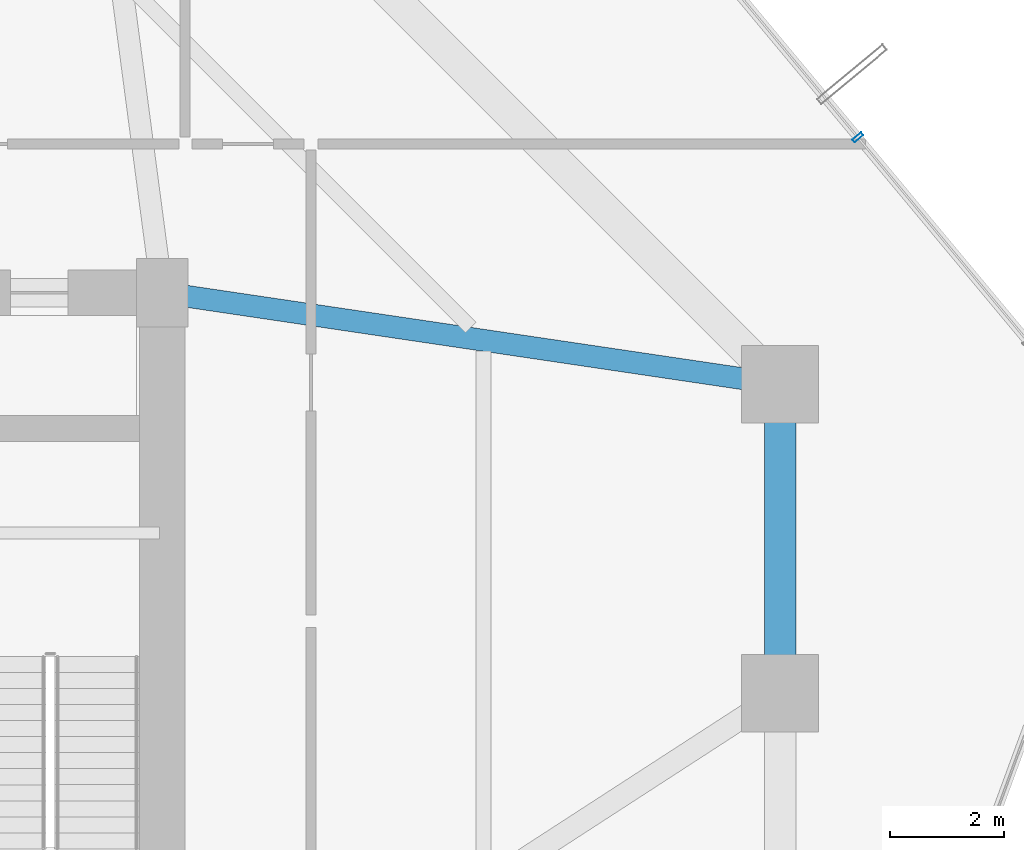
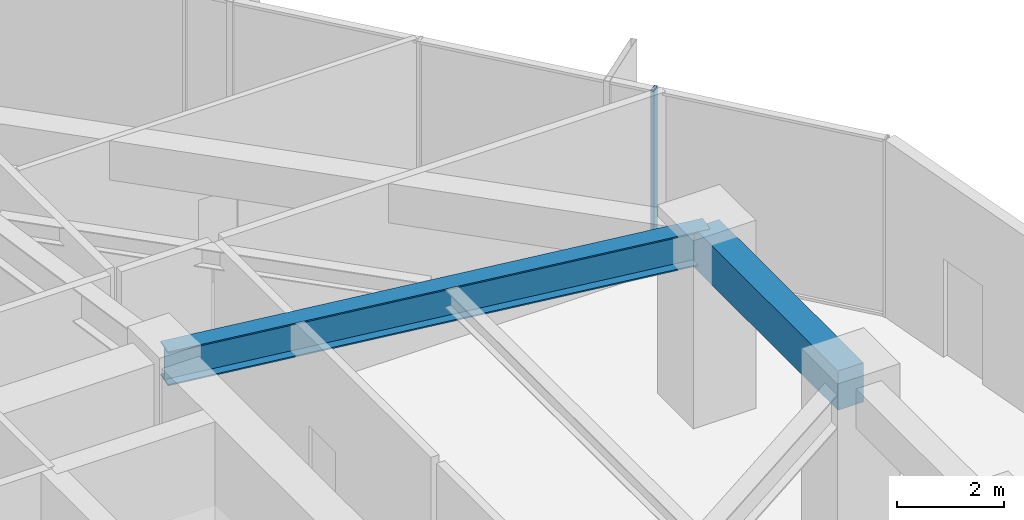
# One storey, part 18 of 35: 2 beams, 1 member, 1 element without a shape of its own.
"""IFC4 building model written with IfcOpenShell, lengths in metres."""

import ifcopenshell
import ifcopenshell.guid

model = None  # the IFC model being written
_history = None  # IfcOwnerHistory: only IFC2X3 demands one
_inside = {}  # id of a spatial element -> (the spatial element, [elements in it])
_under = {}  # id of a project, library or spatial element -> (it, [spatial elements below it])
_declared = {}  # id of a project -> (the project, [libraries it declares])
_typed = {}  # id of a type object -> (the type object, [elements of that type])
_made_of = {}  # id of a material, layer set ... -> (it, [elements and type objects made of it])


def new_model(schema):
    """Start an empty IFC model of exactly this schema.

    Asked for "IFC4X3", IfcOpenShell would pick the latest addendum, in which some entities
    have other attributes; the version numbers below select the first issue.
    IFC2X3 requires an IfcOwnerHistory on every rooted entity: one is made here for all.
    """
    global model, _history
    if schema == "IFC4X3":
        model = ifcopenshell.file(schema_version=(4, 3, 0, 0))
    else:
        model = ifcopenshell.file(schema=schema)
    _inside.clear()
    _under.clear()
    _declared.clear()
    _typed.clear()
    _made_of.clear()
    _history = None
    if model.schema == "IFC2X3":
        org = make("IfcOrganization", Name="unknown")
        user = make(
            "IfcPersonAndOrganization",
            ThePerson=make("IfcPerson", FamilyName="unknown"),
            TheOrganization=org,
        )
        app = make(
            "IfcApplication",
            ApplicationDeveloper=org,
            Version="unknown",
            ApplicationFullName="unknown",
            ApplicationIdentifier="unknown",
        )
        _history = make(
            "IfcOwnerHistory",
            OwningUser=user,
            OwningApplication=app,
            ChangeAction="ADDED",
            CreationDate=0,
        )
    return model


def make(cls, **values):
    """One entity of the class cls with the attributes given. An attribute that is None is left unset."""
    return model.create_entity(
        cls, **{name: value for name, value in values.items() if value is not None}
    )


def rooted(cls, **values):
    """An entity with a GlobalId (a new one), such as an element, a storey or a relation."""
    return make(cls, GlobalId=ifcopenshell.guid.new(), OwnerHistory=_history, **values)


def si_unit(unit_type, name, prefix=None):
    """IfcSIUnit, for example si_unit("LENGTHUNIT", "METRE", prefix="MILLI")."""
    return make("IfcSIUnit", UnitType=unit_type, Prefix=prefix, Name=name)


def assignment(units):
    """IfcUnitAssignment: the units of a project."""
    return None if units is None else make("IfcUnitAssignment", Units=units)


def point(xyz):
    """IfcCartesianPoint."""
    return None if xyz is None else make("IfcCartesianPoint", Coordinates=xyz)


def direction(xyz):
    """IfcDirection."""
    return None if xyz is None else make("IfcDirection", DirectionRatios=xyz)


def frame(location, z_axis=None, x_axis=None):
    """IfcAxis2Placement3D, a coordinate frame: its origin and axes. An axis left out is left unset."""
    return make(
        "IfcAxis2Placement3D",
        Location=point(location),
        Axis=direction(z_axis),
        RefDirection=direction(x_axis),
    )


def frame_2d(location, x_axis=None):
    """IfcAxis2Placement2D, a coordinate frame in the plane: its origin and x axis."""
    return make(
        "IfcAxis2Placement2D", Location=point(location), RefDirection=direction(x_axis)
    )


def origin():
    """The frame at (0, 0, 0) with its axes left unset."""
    return frame((0.0, 0.0, 0.0))


def origin_2d():
    """The frame at (0, 0) in the plane with its x axis left unset."""
    return frame_2d((0.0, 0.0))


def place(relative_to, where):
    """IfcLocalPlacement: puts the frame where relative to a parent placement (None: the world)."""
    return make(
        "IfcLocalPlacement", PlacementRelTo=relative_to, RelativePlacement=where
    )


def context(
    kind, dimensions, precision=None, world=None, true_north=None, identifier=None
):
    """IfcGeometricRepresentationContext, for example the 3D "Model" context."""
    return make(
        "IfcGeometricRepresentationContext",
        ContextIdentifier=identifier,
        ContextType=kind,
        CoordinateSpaceDimension=dimensions,
        Precision=precision,
        WorldCoordinateSystem=world,
        TrueNorth=true_north,
    )


def subcontext(parent, identifier, kind, view, scale=None):
    """IfcGeometricRepresentationSubContext, for example "Body" below "Model"."""
    return make(
        "IfcGeometricRepresentationSubContext",
        ContextIdentifier=identifier,
        ContextType=kind,
        ParentContext=parent,
        TargetScale=scale,
        TargetView=view,
    )


def project(units=None, contexts=None):
    """IfcProject with its units and contexts."""
    return rooted(
        "IfcProject",
        Name="project",
        RepresentationContexts=contexts,
        UnitsInContext=assignment(units),
    )


def spatial(cls, under=None, at=None, **own):
    """A site, building, storey or space (cls), placed at a placement, below another one or the project."""
    s = rooted(cls, ObjectPlacement=at, **own)
    if under is not None:
        _under.setdefault(under.id(), (under, []))[1].append(s)
    return s


def profile(cls, at=None, kind="AREA", **sizes):
    """A parametric profile (cls). Its sizes go by their IFC names, for example OverallWidth=200.0."""
    return make(cls, ProfileType=kind, Position=at, **sizes)


def rectangle(**sizes):
    """IfcRectangleProfileDef."""
    return profile("IfcRectangleProfileDef", **sizes)


def hollow_rectangle(**sizes):
    """IfcRectangleHollowProfileDef."""
    return profile("IfcRectangleHollowProfileDef", **sizes)


def i_section(**sizes):
    """IfcIShapeProfileDef."""
    return profile("IfcIShapeProfileDef", **sizes)


def extrude(swept, where, along, depth):
    """IfcExtrudedAreaSolid: the profile swept, set in the frame where, extruded along a direction by depth."""
    return make(
        "IfcExtrudedAreaSolid",
        SweptArea=swept,
        Position=where,
        ExtrudedDirection=direction(along),
        Depth=depth,
    )


def shape(context_of_items, identifier, shape_type, items):
    """IfcShapeRepresentation: the items that make up one representation, for example the "Body"."""
    return make(
        "IfcShapeRepresentation",
        ContextOfItems=context_of_items,
        RepresentationIdentifier=identifier,
        RepresentationType=shape_type,
        Items=items,
    )


def source(mapping_origin, context_of_items, identifier, shape_type, items):
    """IfcRepresentationMap: a shape defined once, which mapped items show again and again."""
    return make(
        "IfcRepresentationMap",
        MappingOrigin=mapping_origin,
        MappedRepresentation=shape(context_of_items, identifier, shape_type, items),
    )


def transform(
    local_origin,
    x_axis=None,
    y_axis=None,
    z_axis=None,
    scale=None,
    scale2=None,
    scale3=None,
    uniform=True,
):
    """IfcCartesianTransformationOperator3D, or its non-uniform kind. x_axis, y_axis, z_axis: its Axis1, 2, 3."""
    if uniform:
        return make(
            "IfcCartesianTransformationOperator3D",
            Axis1=direction(x_axis),
            Axis2=direction(y_axis),
            LocalOrigin=point(local_origin),
            Scale=scale,
            Axis3=direction(z_axis),
        )
    return make(
        "IfcCartesianTransformationOperator3DnonUniform",
        Axis1=direction(x_axis),
        Axis2=direction(y_axis),
        LocalOrigin=point(local_origin),
        Scale=scale,
        Axis3=direction(z_axis),
        Scale2=scale2,
        Scale3=scale3,
    )


def mapped(mapping_source, mapping_target):
    """IfcMappedItem: shows the shape of a source again, moved by a transform."""
    return make(
        "IfcMappedItem", MappingSource=mapping_source, MappingTarget=mapping_target
    )


def material(Name=None, Category=None):
    """IfcMaterial."""
    return make("IfcMaterial", Name=Name, Category=Category)


def layer(
    of_material, thickness, ventilated=None, Name=None, Category=None, Priority=None
):
    """IfcMaterialLayer: one layer of a wall or slab, of a material (None: an air gap)."""
    return make(
        "IfcMaterialLayer",
        Material=of_material,
        LayerThickness=thickness,
        IsVentilated=ventilated,
        Name=Name,
        Category=Category,
        Priority=Priority,
    )


def layer_set(layers, Name=None):
    """IfcMaterialLayerSet."""
    return make("IfcMaterialLayerSet", MaterialLayers=layers, LayerSetName=Name)


def material_profile(
    of_material, cross_section, Name=None, Category=None, Priority=None
):
    """IfcMaterialProfile: a cross section and its material."""
    return make(
        "IfcMaterialProfile",
        Name=Name,
        Material=of_material,
        Profile=cross_section,
        Priority=Priority,
        Category=Category,
    )


def profile_set(profiles, Name=None, composite=None):
    """IfcMaterialProfileSet."""
    return make(
        "IfcMaterialProfileSet",
        Name=Name,
        MaterialProfiles=profiles,
        CompositeProfile=composite,
    )


def made_of(thing, what):
    """Note that an element or type object is made of a material, layer set ...; save() writes the relation."""
    if what is not None:
        _made_of.setdefault(what.id(), (what, []))[1].append(thing)
    return thing


def type_object(cls, material=None, **own):
    """A type object (cls), such as IfcWallType, which elements share."""
    return made_of(rooted(cls, **own), material)


def element(
    cls,
    number,
    at=None,
    inside=None,
    cuts=None,
    type_object=None,
    material=None,
    context=None,
    identifier="Body",
    shape_type=None,
    held_by="IfcProductDefinitionShape",
    body=None,
    shapes=None,
    **own,
):
    """One element of the class cls, such as IfcWall. Its Tag is "e" and its number.

    at: its placement. inside: the storey or other place that contains it. cuts: it is an
    opening in that element (IfcRelVoidsElement). A single representation is given by context,
    identifier, shape_type and body (its items); several are given by shapes. held_by: the class
    of the entity that holds the representations. save() writes the other relations.
    """
    e = rooted(cls, Tag="e%d" % number, ObjectPlacement=at, **own)
    if body is not None:
        shapes = [shape(context, identifier, shape_type, body)]
    if shapes is not None:
        e.Representation = make(held_by, Representations=shapes)
    if inside is not None:
        _inside.setdefault(inside.id(), (inside, []))[1].append(e)
    if cuts is not None:
        rooted(
            "IfcRelVoidsElement", RelatingBuildingElement=cuts, RelatedOpeningElement=e
        )
    if type_object is not None:
        _typed.setdefault(type_object.id(), (type_object, []))[1].append(e)
    return made_of(e, material)


def aggregate(whole, parts):
    """IfcRelAggregates: a whole, such as a stair, and the parts it consists of."""
    return rooted("IfcRelAggregates", RelatingObject=whole, RelatedObjects=parts)


def save(model, path):
    """Write the relations noted so far, then the file.

    IfcRelAggregates (storeys below a building ...), IfcRelContainedInSpatialStructure (elements
    in a storey), IfcRelDefinesByType, IfcRelAssociatesMaterial and IfcRelDeclares: one each for
    every whole, place, type object, material and project.
    """
    for whole, parts in _under.values():
        aggregate(whole, parts)
    for where, things in _inside.values():
        rooted(
            "IfcRelContainedInSpatialStructure",
            RelatedElements=things,
            RelatingStructure=where,
        )
    for kind, things in _typed.values():
        rooted("IfcRelDefinesByType", RelatedObjects=things, RelatingType=kind)
    for what, things in _made_of.values():
        rooted("IfcRelAssociatesMaterial", RelatedObjects=things, RelatingMaterial=what)
    for by, libraries in _declared.values():
        rooted("IfcRelDeclares", RelatingContext=by, RelatedDefinitions=libraries)
    model.write(path)


model = new_model("IFC4")

# Units and contexts
model_context = context("Model", 3, precision=1e-05, world=origin(), true_north=direction((0.0, 1.0)))
body_context = subcontext(model_context, "Body", "Model", "MODEL_VIEW")
ifc_project = project(units=[si_unit("LENGTHUNIT", "METRE"), si_unit("AREAUNIT", "SQUARE_METRE"), si_unit("VOLUMEUNIT", "CUBIC_METRE"), si_unit("PLANEANGLEUNIT", "RADIAN"), si_unit("MASSUNIT", "GRAM", prefix="KILO")], contexts=[model_context])

# Site, building, storey
site_placement = place(None, origin())
site = spatial("IfcSite", under=ifc_project, at=site_placement, CompositionType="ELEMENT")
building_placement = place(site_placement, origin())
building = spatial("IfcBuilding", under=site, at=building_placement, Name="Veraguas Prism Commons", CompositionType="ELEMENT")
storey_placement = place(building_placement, frame((0.0, 0.0, 56.550048828125)))
storey = spatial("IfcBuildingStorey", under=building, at=storey_placement, Name="L15", CompositionType="ELEMENT", Elevation=56.550048828125)

# Beams
ifc_material_1 = material(Name="Steel ASTM A992 Grade 50", Category="steel")
ifc_material_profile_1 = material_profile(ifc_material_1, i_section(OverallWidth=0.382080078125, OverallDepth=0.779052734375, WebThickness=0.01806640625, FlangeThickness=0.030029296875, at=origin_2d()), Name="W760X284")
ifc_profile_set_1 = profile_set([ifc_material_profile_1], Name="Steel ASTM A992 Grade 50")
beam_type_1 = type_object("IfcBeamType", Name="Assembly Primary Girder W760x284", PredefinedType="BEAM", material=ifc_profile_set_1)
beam_1_placement = place(storey_placement, frame((41.60009765625, 29.39990234375, 3.660400390625), z_axis=(-0.989202261707, 0.146556765224, 0.0), x_axis=(-0.146556765224, -0.989202261707, 0.0)))
element("IfcBeam", 1, at=beam_1_placement, inside=storey, type_object=beam_type_1, Name="Radial Floor Girder L15-RD03", PredefinedType="BEAM", context=body_context, shape_type="SweptSolid", body=[
    extrude(i_section(OverallWidth=0.382080078125, OverallDepth=0.779052734375, WebThickness=0.01806640625, FlangeThickness=0.030029296875, at=origin_2d()), origin(), (0.0, 0.0, 1.0), 10.91796875),
])
ifc_material_2 = material(Name="Concrete C50/60", Category="concrete")
ifc_material_profile_2 = material_profile(ifc_material_2, rectangle(XDim=0.550048828125, YDim=0.89990234375, at=origin_2d()), Name="RC550X900")
ifc_profile_set_2 = profile_set([ifc_material_profile_2], Name="Concrete C50/60")
beam_type_2 = type_object("IfcBeamType", Name="Perimeter Spandrel Lower RC 550x900", PredefinedType="SPANDREL", material=ifc_profile_set_2)
beam_2_placement = place(storey_placement, frame((41.60009765625, 24.0, 3.599853515625), z_axis=(0.0, 1.0, 0.0), x_axis=(-1.0, 0.0, 0.0)))
element("IfcBeam", 2, at=beam_2_placement, inside=storey, type_object=beam_type_2, Name="Perimeter Spandrel Beam L15-SP02", PredefinedType="SPANDREL", context=body_context, shape_type="SweptSolid", body=[
    extrude(rectangle(XDim=0.550048828125, YDim=0.89990234375, at=origin_2d()), origin(), (0.0, 0.0, 1.0), 5.39990234375),
])

# Curtain wall, member
ifc_material_3 = material(Name="Anodised aluminium EN AW-6063 T6", Category="aluminium")
ifc_layer = layer(ifc_material_3, 0.199951171875, Name="Sky Lobby and Pool Acoustic Curtain Wall", Category="aluminium")
ifc_layer_set = layer_set([ifc_layer], Name="Anodised aluminium EN AW-6063 T6")
curtain_wall_type = type_object("IfcCurtainWallType", Name="Sky Lobby and Pool Acoustic Curtain Wall", PredefinedType="NOTDEFINED", material=ifc_layer_set)
curtain_wall_placement = place(storey_placement, origin())
curtain_wall = element("IfcCurtainWall", 3, at=curtain_wall_placement, inside=storey, type_object=curtain_wall_type, Name="Tower Facade Curtain Wall L15-F1", PredefinedType="NOTDEFINED")
ifc_material_profile_3 = material_profile(ifc_material_3, hollow_rectangle(XDim=0.06494140625, YDim=0.199951171875, WallThickness=0.00390625, at=origin_2d()), Name="AL65X200X4")
ifc_profile_set_3 = profile_set([ifc_material_profile_3], Name="Anodised aluminium EN AW-6063 T6")
member_type = type_object("IfcMemberType", Name="Curtain Wall Mullion Heavy AL 65x200x4", PredefinedType="MULLION", material=ifc_profile_set_3)
shared_shape = source(origin(), body_context, "Body", "SweptSolid", [
    extrude(hollow_rectangle(XDim=0.06494140625, YDim=0.199951171875, WallThickness=0.00390625, at=origin_2d()), origin(), (0.0, 0.0, 1.0), 4.050048828125),
])
member_placement = place(storey_placement, frame((42.95849609375, 33.7158203125, 0.0), z_axis=(0.0, 0.0, 1.0), x_axis=(-0.640109699485, 0.768283523594, 0.0)))
member = element("IfcMember", 4, at=member_placement, type_object=member_type, Name="CW-SKY Mullion 2", PredefinedType="MULLION", context=body_context, shape_type="MappedRepresentation", body=[
    mapped(shared_shape, transform((0.0, 0.0, 0.0), scale=1.0)),
])
aggregate(curtain_wall, [member])

save(model, "model.ifc")
